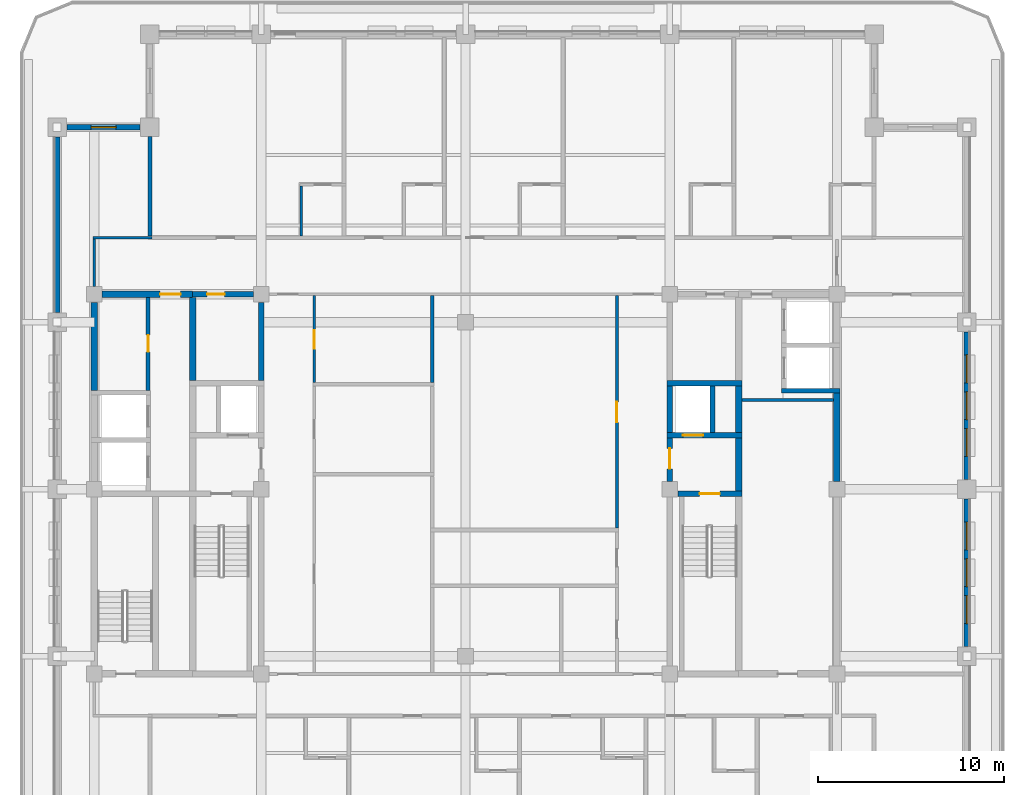
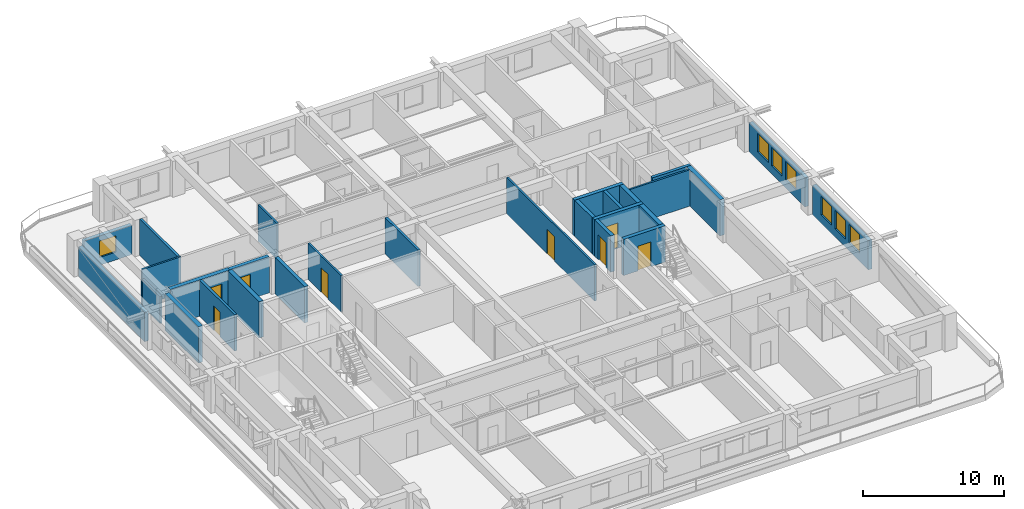
# One storey, part 5 of 14: 28 walls, 8 doors, 7 windows, 15 openings.
"""IFC4 building model written with IfcOpenShell, lengths in metres."""

from ifc_helpers import new_model, si_unit, direction, frame, frame_2d, origin, place, context, subcontext, project, spatial, rectangle, extrude, material, layer, layer_set, type_object, element, fill, save


model = new_model("IFC4")

# Units and contexts
model_context = context("Model", 3, precision=1e-05, world=origin(), true_north=direction((0.0, 1.0)))
body_context = subcontext(model_context, "Body", "Model", "MODEL_VIEW")
ifc_project = project(units=[si_unit("LENGTHUNIT", "METRE"), si_unit("AREAUNIT", "SQUARE_METRE"), si_unit("VOLUMEUNIT", "CUBIC_METRE"), si_unit("PLANEANGLEUNIT", "RADIAN"), si_unit("MASSUNIT", "GRAM", prefix="KILO")], contexts=[model_context])

# Site, building, storey
site_placement = place(None, origin())
site = spatial("IfcSite", under=ifc_project, at=site_placement, CompositionType="ELEMENT")
building_placement = place(site_placement, origin())
building = spatial("IfcBuilding", under=site, at=building_placement, Name="Zulmaris Gate Convention Tower", CompositionType="ELEMENT")
storey_placement = place(building_placement, frame((0.0, 0.0, 179.659912109375)))
storey = spatial("IfcBuildingStorey", under=building, at=storey_placement, Name="L46", CompositionType="ELEMENT", Elevation=179.659912109375)

# Walls
ifc_material_1 = material(Name="Concrete C50/60", Category="concrete")
ifc_layer_1 = layer(ifc_material_1, 0.25, Name="Concrete C50/60")
ifc_layer_set_1 = layer_set([ifc_layer_1], Name="Concrete C50/60")
wall_type_1 = type_object("IfcWallType", Name="CORE-250", PredefinedType="SOLIDWALL", material=ifc_layer_set_1)
wall_1_placement = place(storey_placement, frame((17.02490234375, 5.300048828125, 0.0), z_axis=(0.0, 0.0, 1.0), x_axis=(1.0, 0.0, 0.0)))
element("IfcWall", 1, at=wall_1_placement, inside=storey, type_object=wall_type_1, Name="WL-L46-011", PredefinedType="SOLIDWALL", context=body_context, shape_type="SweptSolid", body=[
    extrude(rectangle(XDim=3.150146484375, YDim=0.25, at=frame_2d((1.5751953125, 0.0))), origin(), (0.0, 0.0, 1.0), 3.14990234375),
])
wall_2_placement = place(storey_placement, frame((13.300048828125, 3.052001953125, 0.0), z_axis=(0.0, 0.0, 1.0), x_axis=(0.0, 1.0, 0.0)))
element("IfcWall", 2, at=wall_2_placement, inside=storey, type_object=wall_type_1, Name="WL-L46-065", PredefinedType="SOLIDWALL", context=body_context, shape_type="SweptSolid", body=[
    extrude(rectangle(XDim=2.49609375, YDim=0.25, at=frame_2d((1.248046875, 0.0))), origin(), (0.0, 0.0, 1.0), 3.14990234375),
])

# Wall, opening, door
ifc_layer_2 = layer(ifc_material_1, 0.300048828125, Name="Concrete C50/60")
ifc_layer_set_2 = layer_set([ifc_layer_2], Name="Concrete C50/60")
wall_type_2 = type_object("IfcWallType", Name="CORE-300", PredefinedType="SHEAR", material=ifc_layer_set_2)
wall_3_placement = place(storey_placement, frame((11.428955078125, -0.25, 0.0), z_axis=(0.0, 0.0, 1.0), x_axis=(1.0, 0.0, 0.0)))
wall_3 = element("IfcWall", 3, at=wall_3_placement, inside=storey, type_object=wall_type_2, Name="WL-L46-006", PredefinedType="SHEAR", context=body_context, shape_type="SweptSolid", body=[
    extrude(rectangle(XDim=3.446044921875, YDim=0.300048828125, at=frame_2d((1.72314453125, 0.0))), origin(), (0.0, 0.0, 1.0), 3.14990234375),
])
opening_1_placement = place(wall_3_placement, frame((1.1708984375, 0.0, 0.0)))
opening_1 = element("IfcOpeningElement", 4, at=opening_1_placement, cuts=wall_3, Name="Opening D-08", PredefinedType="OPENING", context=body_context, shape_type="SweptSolid", body=[
    extrude(rectangle(XDim=1.10009765625, YDim=2.14990234375, at=frame_2d((0.550048828125, 1.074951171875))), frame((0.0, 0.16015625, 0.0), z_axis=(0.0, -1.0, 0.0), x_axis=(1.0, 0.0, 0.0)), (0.0, 0.0, 1.0), 0.320068359375),
])
ifc_material_2 = material(Name="Fire-Rated Steel", Category="steel")
door_type_1 = type_object("IfcDoorType", Name="DR-1100-FD", OperationType="NOTDEFINED", PredefinedType="DOOR", material=ifc_material_2)
door_1_placement = place(opening_1_placement, origin())
door_1 = element("IfcDoor", 5, at=door_1_placement, inside=storey, type_object=door_type_1, Name="L46 Exit Stair ST-2 Door 04", OperationType="SINGLE_SWING_RIGHT", OverallHeight=2.14990234375, OverallWidth=1.10009765625, PredefinedType="DOOR", context=body_context, shape_type="SweptSolid", body=[
    extrude(rectangle(XDim=1.10009765625, YDim=2.14990234375, at=frame_2d((0.550048828125, 1.074951171875))), frame((0.0, 0.02490234375, 0.0), z_axis=(0.0, -1.0, 0.0), x_axis=(1.0, 0.0, 0.0)), (0.0, 0.0, 1.0), 0.050048828125),
])
fill(opening_1, door_1)

wall_4_placement = place(storey_placement, frame((10.85009765625, 2.89990234375, 0.0), z_axis=(0.0, 0.0, 1.0), x_axis=(1.0, 0.0, 0.0)))
wall_4 = element("IfcWall", 6, at=wall_4_placement, inside=storey, type_object=wall_type_2, Name="WL-L46-009", PredefinedType="SHEAR", context=body_context, shape_type="SweptSolid", body=[
    extrude(rectangle(XDim=4.02490234375, YDim=0.300048828125, at=frame_2d((2.012451171875, 0.0))), origin(), (0.0, 0.0, 1.0), 3.14990234375),
])
opening_2_placement = place(wall_4_placement, frame((0.85009765625, 0.0, 0.0)))
opening_2 = element("IfcOpeningElement", 7, at=opening_2_placement, cuts=wall_4, Name="Opening D-06", PredefinedType="OPENING", context=body_context, shape_type="SweptSolid", body=[
    extrude(rectangle(XDim=1.10009765625, YDim=2.199951171875, at=frame_2d((0.550048828125, 1.10009765625))), frame((0.0, 0.16015625, 0.0), z_axis=(0.0, -1.0, 0.0), x_axis=(1.0, 0.0, 0.0)), (0.0, 0.0, 1.0), 0.320068359375),
])
ifc_material_3 = material(Name="Brushed Stainless Steel", Category="steel")
door_type_2 = type_object("IfcDoorType", Name="LD-1100", OperationType="NOTDEFINED", PredefinedType="DOOR", material=ifc_material_3)
door_2_placement = place(opening_2_placement, origin())
door_2 = element("IfcDoor", 8, at=door_2_placement, inside=storey, type_object=door_type_2, Name="L46 Lift Landing Door LF-02 06", OperationType="SLIDING_TO_RIGHT", OverallHeight=2.199951171875, OverallWidth=1.10009765625, PredefinedType="DOOR", context=body_context, shape_type="SweptSolid", body=[
    extrude(rectangle(XDim=1.10009765625, YDim=2.199951171875, at=frame_2d((0.550048828125, 1.10009765625))), frame((0.0, 0.02490234375, 0.0), z_axis=(0.0, -1.0, 0.0), x_axis=(1.0, 0.0, 0.0)), (0.0, 0.0, 1.0), 0.050048828125),
])
fill(opening_2, door_2)

# Wall
wall_5_placement = place(storey_placement, frame((10.85009765625, 5.699951171875, 0.0), z_axis=(0.0, 0.0, 1.0), x_axis=(1.0, 0.0, 0.0)))
element("IfcWall", 9, at=wall_5_placement, inside=storey, type_object=wall_type_2, Name="WL-L46-013", PredefinedType="SHEAR", context=body_context, shape_type="SweptSolid", body=[
    extrude(rectangle(XDim=4.02490234375, YDim=0.300048828125, at=frame_2d((2.012451171875, 0.0))), origin(), (0.0, 0.0, 1.0), 3.14990234375),
])

# Wall, opening, door
wall_6_placement = place(storey_placement, frame((-14.699951171875, 10.5, 0.0), z_axis=(0.0, 0.0, 1.0), x_axis=(1.0, 0.0, 0.0)))
wall_6 = element("IfcWall", 10, at=wall_6_placement, inside=storey, type_object=wall_type_2, Name="WL-L46-016", PredefinedType="SHEAR", context=body_context, shape_type="SweptSolid", body=[
    extrude(rectangle(XDim=3.27099609375, YDim=0.300048828125, at=frame_2d((1.635498046875, 0.0))), origin(), (0.0, 0.0, 1.0), 3.14990234375),
])
opening_3_placement = place(wall_6_placement, frame((0.77490234375, 0.0, 0.0)))
opening_3 = element("IfcOpeningElement", 11, at=opening_3_placement, cuts=wall_6, Name="Opening D-11", PredefinedType="OPENING", context=body_context, shape_type="SweptSolid", body=[
    extrude(rectangle(XDim=0.949951171875, YDim=2.14990234375, at=frame_2d((0.47509765625, 1.074951171875))), frame((0.0, 0.16015625, 0.0), z_axis=(0.0, -1.0, 0.0), x_axis=(1.0, 0.0, 0.0)), (0.0, 0.0, 1.0), 0.320068359375),
])
ifc_material_4 = material(Name="Fire-Rated Timber", Category="wood")
door_type_3 = type_object("IfcDoorType", Name="DR-950-FD", OperationType="NOTDEFINED", PredefinedType="DOOR", material=ifc_material_4)
door_3_placement = place(opening_3_placement, origin())
door_3 = element("IfcDoor", 12, at=door_3_placement, inside=storey, type_object=door_type_3, Name="L46 Core Pantry Door 07", OperationType="SINGLE_SWING_RIGHT", OverallHeight=2.14990234375, OverallWidth=0.949951171875, PredefinedType="DOOR", context=body_context, shape_type="SweptSolid", body=[
    extrude(rectangle(XDim=0.949951171875, YDim=2.14990234375, at=frame_2d((0.47509765625, 1.074951171875))), frame((0.0, 0.02490234375, 0.0), z_axis=(0.0, -1.0, 0.0), x_axis=(1.0, 0.0, 0.0)), (0.0, 0.0, 1.0), 0.050048828125),
])
fill(opening_3, door_3)

# Wall
wall_7_placement = place(storey_placement, frame((-11.0, 5.85205078125, 0.0), z_axis=(0.0, 0.0, 1.0), x_axis=(0.0, 1.0, 0.0)))
element("IfcWall", 13, at=wall_7_placement, inside=storey, type_object=wall_type_2, Name="WL-L46-059", PredefinedType="SHEAR", context=body_context, shape_type="SweptSolid", body=[
    extrude(rectangle(XDim=4.218994140625, YDim=0.300048828125, at=frame_2d((2.109375, 0.0))), origin(), (0.0, 0.0, 1.0), 3.14990234375),
])

# Wall, opening, door
wall_8_placement = place(storey_placement, frame((11.0, 0.428955078125, 0.0), z_axis=(0.0, 0.0, 1.0), x_axis=(0.0, 1.0, 0.0)))
wall_8 = element("IfcWall", 14, at=wall_8_placement, inside=storey, type_object=wall_type_2, Name="WL-L46-061", PredefinedType="SHEAR", context=body_context, shape_type="SweptSolid", body=[
    extrude(rectangle(XDim=2.319091796875, YDim=0.300048828125, at=frame_2d((1.15966796875, 0.0))), origin(), (0.0, 0.0, 1.0), 3.14990234375),
])
opening_4_placement = place(wall_8_placement, frame((0.6708984375, 0.0, 0.0)))
opening_4 = element("IfcOpeningElement", 15, at=opening_4_placement, cuts=wall_8, Name="Opening D-08", PredefinedType="OPENING", context=body_context, shape_type="SweptSolid", body=[
    extrude(rectangle(XDim=1.10009765625, YDim=2.14990234375, at=frame_2d((0.550048828125, 1.074951171875))), frame((0.0, 0.16015625, 0.0), z_axis=(0.0, -1.0, 0.0), x_axis=(1.0, 0.0, 0.0)), (0.0, 0.0, 1.0), 0.320068359375),
])
door_4_placement = place(opening_4_placement, origin())
door_4 = element("IfcDoor", 16, at=door_4_placement, inside=storey, type_object=door_type_1, Name="L46 East Firefighting Lobby Door 05", OperationType="SINGLE_SWING_LEFT", OverallHeight=2.14990234375, OverallWidth=1.10009765625, PredefinedType="DOOR", context=body_context, shape_type="SweptSolid", body=[
    extrude(rectangle(XDim=1.10009765625, YDim=2.14990234375, at=frame_2d((0.550048828125, 1.074951171875))), frame((0.0, 0.02490234375, 0.0), z_axis=(0.0, -1.0, 0.0), x_axis=(1.0, 0.0, 0.0)), (0.0, 0.0, 1.0), 0.050048828125),
])
fill(opening_4, door_4)

# Wall
wall_9_placement = place(storey_placement, frame((11.0, 3.052001953125, 0.0), z_axis=(0.0, 0.0, 1.0), x_axis=(0.0, 1.0, 0.0)))
element("IfcWall", 17, at=wall_9_placement, inside=storey, type_object=wall_type_2, Name="WL-L46-062", PredefinedType="SHEAR", context=body_context, shape_type="SweptSolid", body=[
    extrude(rectangle(XDim=2.49609375, YDim=0.300048828125, at=frame_2d((1.248046875, 0.0))), origin(), (0.0, 0.0, 1.0), 3.14990234375),
])

# Wall, opening, door
ifc_material_5 = material(Name="Concrete C55/67", Category="concrete")
ifc_layer_3 = layer(ifc_material_5, 0.35009765625, Name="Concrete C55/67")
ifc_layer_set_3 = layer_set([ifc_layer_3], Name="Concrete C55/67")
wall_type_3 = type_object("IfcWallType", Name="CORE-350", PredefinedType="SHEAR", material=ifc_layer_set_3)
wall_10_placement = place(storey_placement, frame((-19.571044921875, 10.5, 0.0), z_axis=(0.0, 0.0, 1.0), x_axis=(1.0, 0.0, 0.0)))
wall_10 = element("IfcWall", 18, at=wall_10_placement, inside=storey, type_object=wall_type_3, Name="WL-L46-015", PredefinedType="SHEAR", context=body_context, shape_type="SweptSolid", body=[
    extrude(rectangle(XDim=4.87109375, YDim=0.35009765625, at=frame_2d((2.435546875, 0.0))), origin(), (0.0, 0.0, 1.0), 3.14990234375),
])
opening_5_placement = place(wall_10_placement, frame((3.12109375, 0.0, 0.0)))
opening_5 = element("IfcOpeningElement", 19, at=opening_5_placement, cuts=wall_10, Name="Opening D-08", PredefinedType="OPENING", context=body_context, shape_type="SweptSolid", body=[
    extrude(rectangle(XDim=1.10009765625, YDim=2.14990234375, at=frame_2d((0.550048828125, 1.074951171875))), frame((0.0, 0.18505859375, 0.0), z_axis=(0.0, -1.0, 0.0), x_axis=(1.0, 0.0, 0.0)), (0.0, 0.0, 1.0), 0.3701171875),
])
door_5_placement = place(opening_5_placement, origin())
door_5 = element("IfcDoor", 20, at=door_5_placement, inside=storey, type_object=door_type_1, Name="L46 High-Rise West Lift Lobby Door 12", OperationType="SINGLE_SWING_LEFT", OverallHeight=2.14990234375, OverallWidth=1.10009765625, PredefinedType="DOOR", context=body_context, shape_type="SweptSolid", body=[
    extrude(rectangle(XDim=1.10009765625, YDim=2.14990234375, at=frame_2d((0.550048828125, 1.074951171875))), frame((0.0, 0.02490234375, 0.0), z_axis=(0.0, -1.0, 0.0), x_axis=(1.0, 0.0, 0.0)), (0.0, 0.0, 1.0), 0.050048828125),
])
fill(opening_5, door_5)

# Walls
wall_11_placement = place(storey_placement, frame((-20.0, 5.326904296875, 0.0), z_axis=(0.0, 0.0, 1.0), x_axis=(0.0, 1.0, 0.0)))
element("IfcWall", 21, at=wall_11_placement, inside=storey, type_object=wall_type_3, Name="WL-L46-046", PredefinedType="SHEAR", context=body_context, shape_type="SweptSolid", body=[
    extrude(rectangle(XDim=4.744140625, YDim=0.35009765625, at=frame_2d((2.3720703125, 0.0))), origin(), (0.0, 0.0, 1.0), 3.14990234375),
])
wall_12_placement = place(storey_placement, frame((-14.699951171875, 5.85205078125, 0.0), z_axis=(0.0, 0.0, 1.0), x_axis=(0.0, 1.0, 0.0)))
element("IfcWall", 22, at=wall_12_placement, inside=storey, type_object=wall_type_3, Name="WL-L46-053", PredefinedType="SHEAR", context=body_context, shape_type="SweptSolid", body=[
    extrude(rectangle(XDim=4.470947265625, YDim=0.35009765625, at=frame_2d((2.2353515625, 0.0))), origin(), (0.0, 0.0, 1.0), 3.14990234375),
])
wall_13_placement = place(storey_placement, frame((14.699951171875, -0.097900390625, 0.0), z_axis=(0.0, 0.0, 1.0), x_axis=(0.0, 1.0, 0.0)))
element("IfcWall", 23, at=wall_13_placement, inside=storey, type_object=wall_type_3, Name="WL-L46-067", PredefinedType="SHEAR", context=body_context, shape_type="SweptSolid", body=[
    extrude(rectangle(XDim=2.845947265625, YDim=0.35009765625, at=frame_2d((1.4228515625, 0.0))), origin(), (0.0, 0.0, 1.0), 3.14990234375),
])
wall_14_placement = place(storey_placement, frame((14.699951171875, 3.052001953125, 0.0), z_axis=(0.0, 0.0, 1.0), x_axis=(0.0, 1.0, 0.0)))
element("IfcWall", 24, at=wall_14_placement, inside=storey, type_object=wall_type_3, Name="WL-L46-068", PredefinedType="SHEAR", context=body_context, shape_type="SweptSolid", body=[
    extrude(rectangle(XDim=2.49609375, YDim=0.35009765625, at=frame_2d((1.248046875, 0.0))), origin(), (0.0, 0.0, 1.0), 3.14990234375),
])
wall_15_placement = place(storey_placement, frame((20.0, 0.428955078125, 0.0), z_axis=(0.0, 0.0, 1.0), x_axis=(0.0, 1.0, 0.0)))
element("IfcWall", 25, at=wall_15_placement, inside=storey, type_object=wall_type_3, Name="WL-L46-072S1", PredefinedType="SHEAR", context=body_context, shape_type="SweptSolid", body=[
    extrude(rectangle(XDim=4.744140625, YDim=0.35009765625, at=frame_2d((2.3720703125, 0.0))), origin(), (0.0, 0.0, 1.0), 3.14990234375),
])
ifc_material_6 = material(Name="Gypsum Metal Stud Partition")
ifc_layer_4 = layer(ifc_material_6, 0.14990234375, Name="Gypsum Metal Stud Partition")
ifc_layer_set_4 = layer_set([ifc_layer_4], Name="Gypsum Metal Stud Partition")
wall_type_4 = type_object("IfcWallType", Name="PART-150", PredefinedType="PARTITIONING", material=ifc_layer_set_4)
wall_16_placement = place(storey_placement, frame((14.8779296875, 4.800048828125, 0.0), z_axis=(0.0, 0.0, 1.0), x_axis=(1.0, 0.0, 0.0)))
element("IfcWall", 26, at=wall_16_placement, inside=storey, type_object=wall_type_4, Name="WL-L46-031", PredefinedType="PARTITIONING", context=body_context, shape_type="SweptSolid", body=[
    extrude(rectangle(XDim=4.944091796875, YDim=0.14990234375, at=frame_2d((2.47216796875, 0.0))), origin(), (0.0, 0.0, 1.0), 3.14990234375),
])
wall_17_placement = place(storey_placement, frame((-20.074951171875, 13.550048828125, 0.0), z_axis=(0.0, 0.0, 1.0), x_axis=(1.0, 0.0, 0.0)))
element("IfcWall", 27, at=wall_17_placement, inside=storey, type_object=wall_type_4, Name="WL-L46-035", PredefinedType="PARTITIONING", context=body_context, shape_type="SweptSolid", body=[
    extrude(rectangle(XDim=3.175048828125, YDim=0.14990234375, at=frame_2d((1.58740234375, 0.0))), origin(), (0.0, 0.0, 1.0), 3.14990234375),
])
wall_18_placement = place(storey_placement, frame((-20.0, 10.930908203125, 0.0), z_axis=(0.0, 0.0, 1.0), x_axis=(0.0, 1.0, 0.0)))
element("IfcWall", 28, at=wall_18_placement, inside=storey, type_object=wall_type_4, Name="WL-L46-076", PredefinedType="PARTITIONING", context=body_context, shape_type="SweptSolid", body=[
    extrude(rectangle(XDim=2.541015625, YDim=0.14990234375, at=frame_2d((1.2705078125, 0.0))), origin(), (0.0, 0.0, 1.0), 2.341796875),
])
wall_19_placement = place(storey_placement, frame((-8.85009765625, 13.653076171875, 0.0), z_axis=(0.0, 0.0, 1.0), x_axis=(0.0, 1.0, 0.0)))
element("IfcWall", 29, at=wall_19_placement, inside=storey, type_object=wall_type_4, Name="WL-L46-080", PredefinedType="PARTITIONING", context=body_context, shape_type="SweptSolid", body=[
    extrude(rectangle(XDim=2.6689453125, YDim=0.14990234375, at=frame_2d((1.33447265625, 0.0))), origin(), (0.0, 0.0, 1.0), 3.14990234375),
])

# Wall, opening, door
wall_20_placement = place(storey_placement, frame((-8.14990234375, 5.7529296875, 0.0), z_axis=(0.0, 0.0, 1.0), x_axis=(0.0, 1.0, 0.0)))
wall_20 = element("IfcWall", 30, at=wall_20_placement, inside=storey, type_object=wall_type_4, Name="WL-L46-084", PredefinedType="PARTITIONING", context=body_context, shape_type="SweptSolid", body=[
    extrude(rectangle(XDim=4.669189453125, YDim=0.14990234375, at=frame_2d((2.33447265625, 0.0))), origin(), (0.0, 0.0, 1.0), 3.14990234375),
])
opening_6_placement = place(wall_20_placement, frame((1.81689453125, 0.0, 0.0)))
opening_6 = element("IfcOpeningElement", 31, at=opening_6_placement, cuts=wall_20, Name="Opening D-10", PredefinedType="OPENING", context=body_context, shape_type="SweptSolid", body=[
    extrude(rectangle(XDim=1.0, YDim=2.14990234375, at=frame_2d((0.5, 1.074951171875))), frame((0.0, 0.0849609375, 0.0), z_axis=(0.0, -1.0, 0.0), x_axis=(1.0, 0.0, 0.0)), (0.0, 0.0, 1.0), 0.169921875),
])
door_type_4 = type_object("IfcDoorType", Name="DR-1000-FD", OperationType="NOTDEFINED", PredefinedType="DOOR", material=ifc_material_4)
door_6_placement = place(opening_6_placement, origin())
door_6 = element("IfcDoor", 32, at=door_6_placement, inside=storey, type_object=door_type_4, Name="L46 Club Lounge Door 42", OperationType="SINGLE_SWING_LEFT", OverallHeight=2.14990234375, OverallWidth=1.0, PredefinedType="DOOR", context=body_context, shape_type="SweptSolid", body=[
    extrude(rectangle(XDim=1.0, YDim=2.14990234375, at=frame_2d((0.5, 1.074951171875))), frame((0.0, 0.02490234375, 0.0), z_axis=(0.0, -1.0, 0.0), x_axis=(1.0, 0.0, 0.0)), (0.0, 0.0, 1.0), 0.050048828125),
])
fill(opening_6, door_6)

wall_21_placement = place(storey_placement, frame((8.14990234375, -2.096923828125, 0.0), z_axis=(0.0, 0.0, 1.0), x_axis=(0.0, 1.0, 0.0)))
wall_21 = element("IfcWall", 33, at=wall_21_placement, inside=storey, type_object=wall_type_4, Name="WL-L46-107", PredefinedType="PARTITIONING", context=body_context, shape_type="SweptSolid", body=[
    extrude(rectangle(XDim=12.51904296875, YDim=0.14990234375, at=frame_2d((6.259521484375, 0.0))), origin(), (0.0, 0.0, 1.0), 3.14990234375),
])
opening_7_placement = place(wall_21_placement, frame((5.697021484375, 0.0, 0.0)))
opening_7 = element("IfcOpeningElement", 34, at=opening_7_placement, cuts=wall_21, Name="Opening D-08", PredefinedType="OPENING", context=body_context, shape_type="SweptSolid", body=[
    extrude(rectangle(XDim=1.10009765625, YDim=2.14990234375, at=frame_2d((0.550048828125, 1.074951171875))), frame((0.0, 0.0849609375, 0.0), z_axis=(0.0, -1.0, 0.0), x_axis=(1.0, 0.0, 0.0)), (0.0, 0.0, 1.0), 0.169921875),
])
door_7_placement = place(opening_7_placement, origin())
door_7 = element("IfcDoor", 35, at=door_7_placement, inside=storey, type_object=door_type_1, Name="L46 Breakout Room Door 45", OperationType="SINGLE_SWING_RIGHT", OverallHeight=2.14990234375, OverallWidth=1.10009765625, PredefinedType="DOOR", context=body_context, shape_type="SweptSolid", body=[
    extrude(rectangle(XDim=1.10009765625, YDim=2.14990234375, at=frame_2d((0.550048828125, 1.074951171875))), frame((0.0, 0.02490234375, 0.0), z_axis=(0.0, -1.0, 0.0), x_axis=(1.0, 0.0, 0.0)), (0.0, 0.0, 1.0), 0.050048828125),
])
fill(opening_7, door_7)

ifc_material_7 = material(Name="Autoclaved Aerated Concrete Block and Plasterboard", Category="concrete")
ifc_layer_5 = layer(ifc_material_7, 0.199951171875, Name="Autoclaved Aerated Concrete Block and Plasterboard")
ifc_layer_set_5 = layer_set([ifc_layer_5], Name="Autoclaved Aerated Concrete Block and Plasterboard")
wall_type_5 = type_object("IfcWallType", Name="PART-200", PredefinedType="PARTITIONING", material=ifc_layer_set_5)
wall_22_placement = place(storey_placement, frame((-17.10009765625, 5.327880859375, 0.0), z_axis=(0.0, 0.0, 1.0), x_axis=(0.0, 1.0, 0.0)))
wall_22 = element("IfcWall", 36, at=wall_22_placement, inside=storey, type_object=wall_type_5, Name="WL-L46-077", PredefinedType="PARTITIONING", context=body_context, shape_type="SweptSolid", body=[
    extrude(rectangle(XDim=4.994140625, YDim=0.199951171875, at=frame_2d((2.4970703125, 0.0))), origin(), (0.0, 0.0, 1.0), 3.14990234375),
])
opening_8_placement = place(wall_22_placement, frame((2.072021484375, 0.0, 0.0)))
opening_8 = element("IfcOpeningElement", 37, at=opening_8_placement, cuts=wall_22, Name="Opening D-12", PredefinedType="OPENING", context=body_context, shape_type="SweptSolid", body=[
    extrude(rectangle(XDim=0.89990234375, YDim=2.14990234375, at=frame_2d((0.449951171875, 1.074951171875))), frame((0.0, 0.10986328125, 0.0), z_axis=(0.0, -1.0, 0.0), x_axis=(1.0, 0.0, 0.0)), (0.0, 0.0, 1.0), 0.219970703125),
])
door_type_5 = type_object("IfcDoorType", Name="DR-900-FD", OperationType="NOTDEFINED", PredefinedType="DOOR", material=ifc_material_4)
door_8_placement = place(opening_8_placement, origin())
door_8 = element("IfcDoor", 38, at=door_8_placement, inside=storey, type_object=door_type_5, Name="L46 Housekeeping Door 13", OperationType="SINGLE_SWING_RIGHT", OverallHeight=2.14990234375, OverallWidth=0.89990234375, PredefinedType="DOOR", context=body_context, shape_type="SweptSolid", body=[
    extrude(rectangle(XDim=0.89990234375, YDim=2.14990234375, at=frame_2d((0.449951171875, 1.074951171875))), frame((0.0, 0.02490234375, 0.0), z_axis=(0.0, -1.0, 0.0), x_axis=(1.0, 0.0, 0.0)), (0.0, 0.0, 1.0), 0.050048828125),
])
fill(opening_8, door_8)

# Walls
wall_23_placement = place(storey_placement, frame((-17.0, 13.653076171875, 0.0), z_axis=(0.0, 0.0, 1.0), x_axis=(0.0, 1.0, 0.0)))
element("IfcWall", 39, at=wall_23_placement, inside=storey, type_object=wall_type_5, Name="WL-L46-079", PredefinedType="PARTITIONING", context=body_context, shape_type="SweptSolid", body=[
    extrude(rectangle(XDim=5.3408203125, YDim=0.199951171875, at=frame_2d((2.67041015625, 0.0))), origin(), (0.0, 0.0, 1.0), 3.14990234375),
])
wall_24_placement = place(storey_placement, frame((-1.800048828125, 5.7529296875, 0.0), z_axis=(0.0, 0.0, 1.0), x_axis=(0.0, 1.0, 0.0)))
element("IfcWall", 40, at=wall_24_placement, inside=storey, type_object=wall_type_5, Name="WL-L46-094", PredefinedType="PARTITIONING", context=body_context, shape_type="SweptSolid", body=[
    extrude(rectangle(XDim=4.669189453125, YDim=0.199951171875, at=frame_2d((2.33447265625, 0.0))), origin(), (0.0, 0.0, 1.0), 3.14990234375),
])

# Wall, opening, window
ifc_material_8 = material(Name="Precast concrete C40/50", Category="concrete")
ifc_layer_6 = layer(ifc_material_8, 0.300048828125, Name="Precast concrete C40/50")
ifc_layer_set_6 = layer_set([ifc_layer_6], Name="Precast concrete C40/50")
wall_type_6 = type_object("IfcWallType", Name="PRECAST-PIER-300", PredefinedType="STANDARD", material=ifc_layer_set_6)
wall_25_placement = place(storey_placement, frame((-17.530029296875, 19.5, 0.0), z_axis=(0.0, 0.0, 1.0), x_axis=(-1.0, 0.0, 0.0)))
wall_25 = element("IfcWall", 41, at=wall_25_placement, inside=storey, type_object=wall_type_6, Name="EW-L46-NOTCH-NW2_0", PredefinedType="STANDARD", context=body_context, shape_type="SweptSolid", body=[
    extrude(rectangle(XDim=3.93994140625, YDim=0.300048828125, at=frame_2d((1.969970703125, 0.0))), origin(), (0.0, 0.0, 1.0), 2.5419921875),
])
opening_9_placement = place(wall_25_placement, frame((1.294921875, 0.0, 0.679931640625)))
opening_9 = element("IfcOpeningElement", 42, at=opening_9_placement, cuts=wall_25, Name="Opening W-10", PredefinedType="OPENING", context=body_context, shape_type="SweptSolid", body=[
    extrude(rectangle(XDim=1.35009765625, YDim=1.419921875, at=frame_2d((0.675048828125, 0.7099609375))), frame((0.0, 0.16015625, 0.0), z_axis=(0.0, -1.0, 0.0), x_axis=(1.0, 0.0, 0.0)), (0.0, 0.0, 1.0), 0.320068359375),
])
ifc_material_9 = material(Name="Low-E Laminated Double Glazing in Aluminium Frame", Category="aluminium")
window_type_1 = type_object("IfcWindowType", Name="WIN-1350x2000", PartitioningType="SINGLE_PANEL", PredefinedType="WINDOW", material=ifc_material_9)
window_1_placement = place(opening_9_placement, origin())
window_1 = element("IfcWindow", 43, at=window_1_placement, inside=storey, type_object=window_type_1, Name="WN-EW-L46-NOTCH-NW2_0", OverallHeight=1.419921875, OverallWidth=1.35009765625, PartitioningType="SINGLE_PANEL", PredefinedType="WINDOW", context=body_context, shape_type="SweptSolid", body=[
    extrude(rectangle(XDim=1.35009765625, YDim=1.419921875, at=frame_2d((0.675048828125, 0.7099609375))), frame((0.0, 0.030029296875, 0.0), z_axis=(0.0, -1.0, 0.0), x_axis=(1.0, 0.0, 0.0)), (0.0, 0.0, 1.0), 0.06005859375),
])
fill(opening_9, window_1)

# Wall, openings, windows
wall_26_placement = place(storey_placement, frame((27.0, -8.469970703125, 0.0), z_axis=(0.0, 0.0, 1.0), x_axis=(0.0, 1.0, 0.0)))
wall_26 = element("IfcWall", 44, at=wall_26_placement, inside=storey, type_object=wall_type_6, Name="EW-L46-E-1_0", PredefinedType="STANDARD", context=body_context, shape_type="SweptSolid", body=[
    extrude(rectangle(XDim=7.93994140625, YDim=0.300048828125, at=frame_2d((3.969970703125, 0.0))), origin(), (0.0, 0.0, 1.0), 2.5419921875),
])
opening_10_placement = place(wall_26_placement, frame((1.235107421875, 0.0, 0.719970703125)))
opening_10 = element("IfcOpeningElement", 45, at=opening_10_placement, cuts=wall_26, Name="Opening W-03", PredefinedType="OPENING", context=body_context, shape_type="SweptSolid", body=[
    extrude(rectangle(XDim=1.5, YDim=1.60009765625, at=frame_2d((0.75, 0.800048828125))), frame((0.0, 0.16015625, 0.0), z_axis=(0.0, -1.0, 0.0), x_axis=(1.0, 0.0, 0.0)), (0.0, 0.0, 1.0), 0.320068359375),
])
opening_11_placement = place(wall_26_placement, frame((3.219970703125, 0.0, 0.719970703125)))
opening_11 = element("IfcOpeningElement", 46, at=opening_11_placement, cuts=wall_26, Name="Opening W-03", PredefinedType="OPENING", context=body_context, shape_type="SweptSolid", body=[
    extrude(rectangle(XDim=1.5, YDim=1.60009765625, at=frame_2d((0.75, 0.800048828125))), frame((0.0, 0.16015625, 0.0), z_axis=(0.0, -1.0, 0.0), x_axis=(1.0, 0.0, 0.0)), (0.0, 0.0, 1.0), 0.320068359375),
])
opening_12_placement = place(wall_26_placement, frame((5.205078125, 0.0, 0.719970703125)))
opening_12 = element("IfcOpeningElement", 47, at=opening_12_placement, cuts=wall_26, Name="Opening W-03", PredefinedType="OPENING", context=body_context, shape_type="SweptSolid", body=[
    extrude(rectangle(XDim=1.5, YDim=1.60009765625, at=frame_2d((0.75, 0.800048828125))), frame((0.0, 0.16015625, 0.0), z_axis=(0.0, -1.0, 0.0), x_axis=(1.0, 0.0, 0.0)), (0.0, 0.0, 1.0), 0.320068359375),
])
window_type_2 = type_object("IfcWindowType", Name="WIN-1500x2100", PartitioningType="SINGLE_PANEL", PredefinedType="WINDOW", material=ifc_material_9)
window_2_placement = place(opening_10_placement, origin())
window_2 = element("IfcWindow", 48, at=window_2_placement, inside=storey, type_object=window_type_2, Name="WN-EW-L46-E-1_0-1", OverallHeight=1.60009765625, OverallWidth=1.5, PartitioningType="SINGLE_PANEL", PredefinedType="WINDOW", context=body_context, shape_type="SweptSolid", body=[
    extrude(rectangle(XDim=1.5, YDim=1.60009765625, at=frame_2d((0.75, 0.800048828125))), frame((0.0, 0.030029296875, 0.0), z_axis=(0.0, -1.0, 0.0), x_axis=(1.0, 0.0, 0.0)), (0.0, 0.0, 1.0), 0.06005859375),
])
fill(opening_10, window_2)
window_3_placement = place(opening_11_placement, origin())
window_3 = element("IfcWindow", 49, at=window_3_placement, inside=storey, type_object=window_type_2, Name="WN-EW-L46-E-1_0-2", OverallHeight=1.60009765625, OverallWidth=1.5, PartitioningType="SINGLE_PANEL", PredefinedType="WINDOW", context=body_context, shape_type="SweptSolid", body=[
    extrude(rectangle(XDim=1.5, YDim=1.60009765625, at=frame_2d((0.75, 0.800048828125))), frame((0.0, 0.030029296875, 0.0), z_axis=(0.0, -1.0, 0.0), x_axis=(1.0, 0.0, 0.0)), (0.0, 0.0, 1.0), 0.06005859375),
])
fill(opening_11, window_3)
window_4_placement = place(opening_12_placement, origin())
window_4 = element("IfcWindow", 50, at=window_4_placement, inside=storey, type_object=window_type_2, Name="WN-EW-L46-E-1_0-3", OverallHeight=1.60009765625, OverallWidth=1.5, PartitioningType="SINGLE_PANEL", PredefinedType="WINDOW", context=body_context, shape_type="SweptSolid", body=[
    extrude(rectangle(XDim=1.5, YDim=1.60009765625, at=frame_2d((0.75, 0.800048828125))), frame((0.0, 0.030029296875, 0.0), z_axis=(0.0, -1.0, 0.0), x_axis=(1.0, 0.0, 0.0)), (0.0, 0.0, 1.0), 0.06005859375),
])
fill(opening_12, window_4)

wall_27_placement = place(storey_placement, frame((27.0, 0.530029296875, 0.0), z_axis=(0.0, 0.0, 1.0), x_axis=(0.0, 1.0, 0.0)))
wall_27 = element("IfcWall", 51, at=wall_27_placement, inside=storey, type_object=wall_type_6, Name="EW-L46-E-2_0", PredefinedType="STANDARD", context=body_context, shape_type="SweptSolid", body=[
    extrude(rectangle(XDim=7.93994140625, YDim=0.300048828125, at=frame_2d((3.969970703125, 0.0))), origin(), (0.0, 0.0, 1.0), 2.5419921875),
])
opening_13_placement = place(wall_27_placement, frame((1.235107421875, 0.0, 0.719970703125)))
opening_13 = element("IfcOpeningElement", 52, at=opening_13_placement, cuts=wall_27, Name="Opening W-03", PredefinedType="OPENING", context=body_context, shape_type="SweptSolid", body=[
    extrude(rectangle(XDim=1.5, YDim=1.60009765625, at=frame_2d((0.75, 0.800048828125))), frame((0.0, 0.16015625, 0.0), z_axis=(0.0, -1.0, 0.0), x_axis=(1.0, 0.0, 0.0)), (0.0, 0.0, 1.0), 0.320068359375),
])
opening_14_placement = place(wall_27_placement, frame((3.219970703125, 0.0, 0.719970703125)))
opening_14 = element("IfcOpeningElement", 53, at=opening_14_placement, cuts=wall_27, Name="Opening W-03", PredefinedType="OPENING", context=body_context, shape_type="SweptSolid", body=[
    extrude(rectangle(XDim=1.5, YDim=1.60009765625, at=frame_2d((0.75, 0.800048828125))), frame((0.0, 0.16015625, 0.0), z_axis=(0.0, -1.0, 0.0), x_axis=(1.0, 0.0, 0.0)), (0.0, 0.0, 1.0), 0.320068359375),
])
opening_15_placement = place(wall_27_placement, frame((5.205078125, 0.0, 0.719970703125)))
opening_15 = element("IfcOpeningElement", 54, at=opening_15_placement, cuts=wall_27, Name="Opening W-03", PredefinedType="OPENING", context=body_context, shape_type="SweptSolid", body=[
    extrude(rectangle(XDim=1.5, YDim=1.60009765625, at=frame_2d((0.75, 0.800048828125))), frame((0.0, 0.16015625, 0.0), z_axis=(0.0, -1.0, 0.0), x_axis=(1.0, 0.0, 0.0)), (0.0, 0.0, 1.0), 0.320068359375),
])
window_5_placement = place(opening_13_placement, origin())
window_5 = element("IfcWindow", 55, at=window_5_placement, inside=storey, type_object=window_type_2, Name="WN-EW-L46-E-2_0-1", OverallHeight=1.60009765625, OverallWidth=1.5, PartitioningType="SINGLE_PANEL", PredefinedType="WINDOW", context=body_context, shape_type="SweptSolid", body=[
    extrude(rectangle(XDim=1.5, YDim=1.60009765625, at=frame_2d((0.75, 0.800048828125))), frame((0.0, 0.030029296875, 0.0), z_axis=(0.0, -1.0, 0.0), x_axis=(1.0, 0.0, 0.0)), (0.0, 0.0, 1.0), 0.06005859375),
])
fill(opening_13, window_5)
window_6_placement = place(opening_14_placement, origin())
window_6 = element("IfcWindow", 56, at=window_6_placement, inside=storey, type_object=window_type_2, Name="WN-EW-L46-E-2_0-2", OverallHeight=1.60009765625, OverallWidth=1.5, PartitioningType="SINGLE_PANEL", PredefinedType="WINDOW", context=body_context, shape_type="SweptSolid", body=[
    extrude(rectangle(XDim=1.5, YDim=1.60009765625, at=frame_2d((0.75, 0.800048828125))), frame((0.0, 0.030029296875, 0.0), z_axis=(0.0, -1.0, 0.0), x_axis=(1.0, 0.0, 0.0)), (0.0, 0.0, 1.0), 0.06005859375),
])
fill(opening_14, window_6)
window_7_placement = place(opening_15_placement, origin())
window_7 = element("IfcWindow", 57, at=window_7_placement, inside=storey, type_object=window_type_2, Name="WN-EW-L46-E-2_0-3", OverallHeight=1.60009765625, OverallWidth=1.5, PartitioningType="SINGLE_PANEL", PredefinedType="WINDOW", context=body_context, shape_type="SweptSolid", body=[
    extrude(rectangle(XDim=1.5, YDim=1.60009765625, at=frame_2d((0.75, 0.800048828125))), frame((0.0, 0.030029296875, 0.0), z_axis=(0.0, -1.0, 0.0), x_axis=(1.0, 0.0, 0.0)), (0.0, 0.0, 1.0), 0.06005859375),
])
fill(opening_15, window_7)

# Wall
wall_28_placement = place(storey_placement, frame((-22.0, 18.969970703125, 0.0), z_axis=(0.0, 0.0, 1.0), x_axis=(0.0, -1.0, 0.0)))
element("IfcWall", 58, at=wall_28_placement, inside=storey, type_object=wall_type_6, Name="EW-L46-W-3_0", PredefinedType="STANDARD", context=body_context, shape_type="SweptSolid", body=[
    extrude(rectangle(XDim=9.43994140625, YDim=0.300048828125, at=frame_2d((4.719970703125, 0.0))), origin(), (0.0, 0.0, 1.0), 2.5419921875),
])

save(model, "model.ifc")
